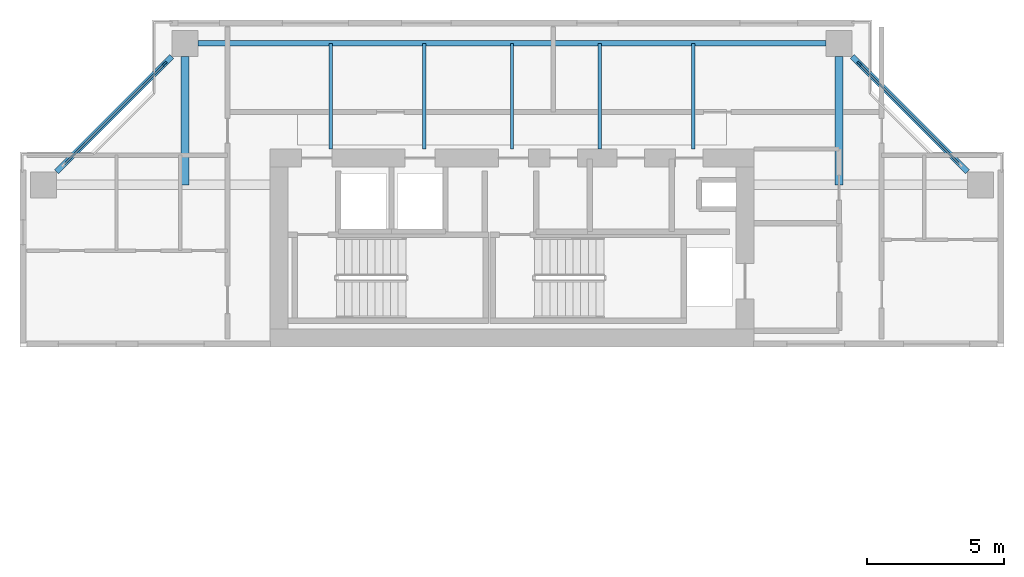
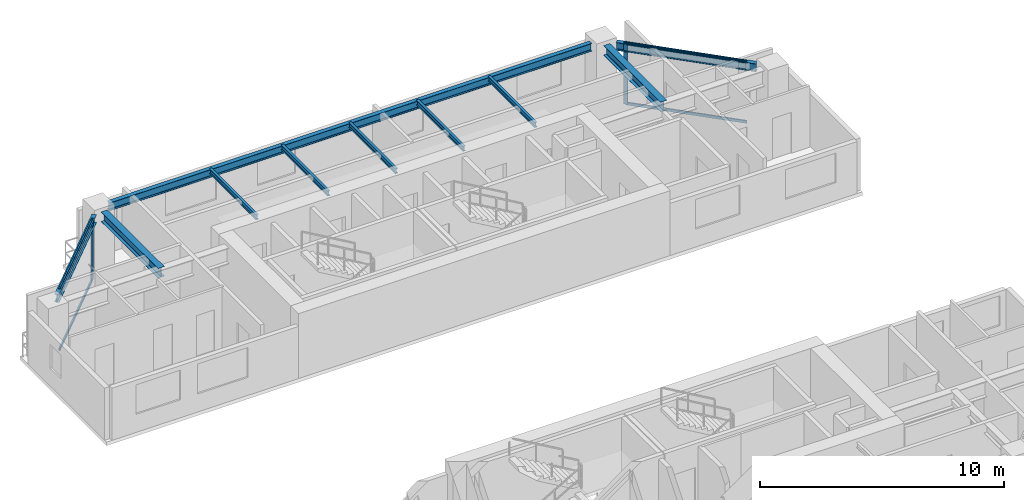
# One storey, part 5 of 12: 10 beams, 6 members, 2 elements without a shape of their own.
"""IFC4 building model written with IfcOpenShell, lengths in metres."""

from ifc_helpers import new_model, si_unit, direction, frame, origin, origin_2d, place, context, subcontext, project, spatial, rectangle, i_section, extrude, source, transform, mapped, material, layer, layer_set, material_profile, profile_set, type_object, element, aggregate, save


model = new_model("IFC4")

# Units and contexts
model_context = context("Model", 3, precision=1e-05, world=origin(), true_north=direction((0.0, 1.0)))
body_context = subcontext(model_context, "Body", "Model", "MODEL_VIEW")
ifc_project = project(units=[si_unit("LENGTHUNIT", "METRE"), si_unit("AREAUNIT", "SQUARE_METRE"), si_unit("VOLUMEUNIT", "CUBIC_METRE"), si_unit("PLANEANGLEUNIT", "RADIAN"), si_unit("MASSUNIT", "GRAM", prefix="KILO"), si_unit("THERMODYNAMICTEMPERATUREUNIT", "KELVIN"), si_unit("POWERUNIT", "WATT")], contexts=[model_context])

# Site, building, storey
site_placement = place(None, origin())
site = spatial("IfcSite", under=ifc_project, at=site_placement, CompositionType="ELEMENT")
building_placement = place(site_placement, origin())
building = spatial("IfcBuilding", under=site, at=building_placement, Name="Qiaomeng Ring Towers", CompositionType="ELEMENT")
storey_placement = place(building_placement, frame((0.0, 0.0, 156.75)))
storey = spatial("IfcBuildingStorey", under=building, at=storey_placement, Name="L45", CompositionType="ELEMENT", Elevation=156.75)

# Beams
ifc_material_1 = material(Name="Steel Q355B", Category="steel")
ifc_material_profile_1 = material_profile(ifc_material_1, i_section(OverallWidth=0.125, OverallDepth=0.25, WebThickness=0.006103515625, FlangeThickness=0.009033203125, FilletRadius=0.011962890625, at=origin_2d()), Name="HN 250x125x6x9")
ifc_profile_set_1 = profile_set([ifc_material_profile_1], Name="Steel Q355B")
beam_type_1 = type_object("IfcBeamType", Name="STR-BM-HN250", PredefinedType="JOIST", material=ifc_profile_set_1)
shared_shape_1 = source(origin(), body_context, "Body", "SweptSolid", [
    extrude(i_section(OverallWidth=0.125, OverallDepth=0.25, WebThickness=0.006103515625, FlangeThickness=0.009033203125, FilletRadius=0.011962890625, at=origin_2d()), origin(), (0.0, 0.0, 1.0), 3.85009765625),
])
for number, where, z_axis, x_axis, name in (
    (1, (12.39990234375, 36.199951171875, 2.945068359375), (0.0, 1.0, 0.0), (-1.0, 0.0, 0.0), "L45 beam STR-JST-L45-T1N-1"),
    (2, (15.800048828125, 36.199951171875, 2.945068359375), (0.0, 1.0, 0.0), (-1.0, 0.0, 0.0), "L45 beam STR-JST-L45-T1N-2"),
    (3, (19.0, 36.199951171875, 2.945068359375), (0.0, 1.0, 0.0), (-1.0, 0.0, 0.0), "L45 beam STR-JST-L45-T1N-3"),
    (4, (22.199951171875, 36.199951171875, 2.945068359375), (0.0, 1.0, 0.0), (-1.0, 0.0, 0.0), "L45 beam STR-JST-L45-T1N-4"),
    (5, (25.60009765625, 36.199951171875, 2.945068359375), (0.0, 1.0, 0.0), (-1.0, 0.0, 0.0), "L45 beam STR-JST-L45-T1N-5"),
):
    element("IfcBeam", number, at=place(storey_placement, frame(where, z_axis=z_axis, x_axis=x_axis)), inside=storey, type_object=beam_type_1, Name=name, PredefinedType="JOIST", context=body_context, shape_type="MappedRepresentation", body=[
        mapped(shared_shape_1, transform((0.0, 0.0, 0.0), x_axis=(1.0, 0.0, 0.0), y_axis=(0.0, 1.0, 0.0), z_axis=(0.0, 0.0, 1.0), scale=1.0)),
    ])
ifc_material_profile_2 = material_profile(ifc_material_1, i_section(OverallWidth=0.199951171875, OverallDepth=0.39990234375, WebThickness=0.008056640625, FlangeThickness=0.012939453125, FilletRadius=0.01611328125, at=origin_2d()), Name="HN 400x200x8x13")
ifc_profile_set_2 = profile_set([ifc_material_profile_2], Name="Steel Q355B")
beam_type_2 = type_object("IfcBeamType", Name="STR-BM-HN400", PredefinedType="SPANDREL", material=ifc_profile_set_2)
shared_shape_2 = source(origin(), body_context, "Body", "SweptSolid", [
    extrude(i_section(OverallWidth=0.199951171875, OverallDepth=0.39990234375, WebThickness=0.008056640625, FlangeThickness=0.012939453125, FilletRadius=0.01611328125, at=origin_2d()), origin(), (0.0, 0.0, 1.0), 22.85205078125),
])
beam_placement = place(storey_placement, frame((30.426025390625, 40.050048828125, 2.8701171875), z_axis=(-1.0, 0.0, 0.0), x_axis=(0.0, -1.0, 0.0)))
element("IfcBeam", 6, at=beam_placement, inside=storey, type_object=beam_type_2, Name="L45 beam STR-SP-L45-T1-N2-N1", PredefinedType="SPANDREL", context=body_context, shape_type="MappedRepresentation", body=[
    mapped(shared_shape_2, transform((0.0, 0.0, 0.0), x_axis=(1.0, 0.0, 0.0), y_axis=(0.0, 1.0, 0.0), z_axis=(0.0, 0.0, 1.0), scale=1.0)),
])
shared_shape_3 = source(origin(), body_context, "Body", "SweptSolid", [
    extrude(i_section(OverallWidth=0.199951171875, OverallDepth=0.39990234375, WebThickness=0.008056640625, FlangeThickness=0.012939453125, FilletRadius=0.01611328125, at=origin_2d()), origin(), (0.0, 0.0, 1.0), 5.941650390625),
])
for number, where, z_axis, x_axis, name in (
    (7, (35.57568359375, 35.374267578125, 2.8701171875), (-0.707106781187, 0.707106781187, 0.0), (-0.707106781187, -0.707106781187, 0.0), "L45 beam STR-SP-L45-T1-E4-N2"),
    (8, (6.625732421875, 39.57568359375, 2.8701171875), (-0.707106781187, -0.707106781187, 0.0), (0.707106781187, -0.707106781187, 0.0), "L45 beam STR-SP-L45-T1-N1-W4"),
):
    element("IfcBeam", number, at=place(storey_placement, frame(where, z_axis=z_axis, x_axis=x_axis)), inside=storey, type_object=beam_type_2, Name=name, PredefinedType="SPANDREL", context=body_context, shape_type="MappedRepresentation", body=[
        mapped(shared_shape_3, transform((0.0, 0.0, 0.0), x_axis=(1.0, 0.0, 0.0), y_axis=(0.0, 1.0, 0.0), z_axis=(0.0, 0.0, 1.0), scale=1.0)),
    ])
ifc_material_profile_3 = material_profile(ifc_material_1, i_section(OverallWidth=0.300048828125, OverallDepth=0.488037109375, WebThickness=0.010986328125, FlangeThickness=0.01806640625, FilletRadius=0.02587890625, at=origin_2d()), Name="HM 488x300x11x18")
ifc_profile_set_3 = profile_set([ifc_material_profile_3], Name="Steel Q355B")
beam_type_3 = type_object("IfcBeamType", Name="STR-BM-HM488", PredefinedType="BEAM", material=ifc_profile_set_3)
shared_shape_4 = source(origin(), body_context, "Body", "SweptSolid", [
    extrude(i_section(OverallWidth=0.300048828125, OverallDepth=0.488037109375, WebThickness=0.010986328125, FlangeThickness=0.01806640625, FilletRadius=0.02587890625, at=origin_2d()), origin(), (0.0, 0.0, 1.0), 4.676025390625),
])
for number, where, z_axis, x_axis, name in (
    (9, (7.10009765625, 39.575927734375, 2.825927734375), (0.0, -1.0, 0.0), (1.0, 0.0, 0.0), "L45 beam STR-BM-L45-T1-RAD-N1"),
    (10, (30.89990234375, 39.575927734375, 2.825927734375), (0.0, -1.0, 0.0), (1.0, 0.0, 0.0), "L45 beam STR-BM-L45-T1-RAD-N2"),
):
    element("IfcBeam", number, at=place(storey_placement, frame(where, z_axis=z_axis, x_axis=x_axis)), inside=storey, type_object=beam_type_3, Name=name, PredefinedType="BEAM", context=body_context, shape_type="MappedRepresentation", body=[
        mapped(shared_shape_4, transform((0.0, 0.0, 0.0), x_axis=(1.0, 0.0, 0.0), y_axis=(0.0, 1.0, 0.0), z_axis=(0.0, 0.0, 1.0), scale=1.0)),
    ])

# Curtain wall, member
ifc_material_2 = material(Name="Fluorocarbon dark-grey aluminium", Category="aluminium")
ifc_layer = layer(ifc_material_2, 0.14990234375, Name="Fluorocarbon dark-grey aluminium")
ifc_layer_set = layer_set([ifc_layer], Name="Fluorocarbon dark-grey aluminium")
curtain_wall_type = type_object("IfcCurtainWallType", Name="ARC-CW-3", PredefinedType="NOTDEFINED", material=ifc_layer_set)
curtain_wall_1_placement = place(storey_placement, origin())
curtain_wall_1 = element("IfcCurtainWall", 11, at=curtain_wall_1_placement, inside=storey, type_object=curtain_wall_type, Name="L45 Curtain Wall CW3", PredefinedType="NOTDEFINED")
ifc_material_profile_4 = material_profile(ifc_material_2, rectangle(XDim=0.070068359375, YDim=0.179931640625, at=origin_2d()), Name="ALU MULL 70x180")
ifc_profile_set_4 = profile_set([ifc_material_profile_4], Name="Fluorocarbon dark-grey aluminium")
member_type_1 = type_object("IfcMemberType", Name="ARC-CWM-160", PredefinedType="MULLION", material=ifc_profile_set_4)
shared_shape_5 = source(origin(), body_context, "Body", "SweptSolid", [
    extrude(rectangle(XDim=0.070068359375, YDim=0.179931640625, at=origin_2d()), origin(), (0.0, 0.0, 1.0), 3.070068359375),
])
member_1_placement = place(storey_placement, frame((31.6396484375, 39.310302734375, 0.0), z_axis=(0.0, 0.0, 1.0), x_axis=(-0.707106781187, -0.707106781187, 0.0)))
member_1 = element("IfcMember", 12, at=member_1_placement, type_object=member_type_1, Name="CW3 mullion 2", PredefinedType="MULLION", context=body_context, shape_type="MappedRepresentation", body=[
    mapped(shared_shape_5, transform((0.0, 0.0, 0.0), x_axis=(1.0, 0.0, 0.0), y_axis=(0.0, 1.0, 0.0), z_axis=(0.0, 0.0, 1.0), scale=1.0)),
])

curtain_wall_2_placement = place(storey_placement, origin())
curtain_wall_2 = element("IfcCurtainWall", 13, at=curtain_wall_2_placement, inside=storey, type_object=curtain_wall_type, Name="L45 Curtain Wall CW3", PredefinedType="NOTDEFINED")
member_2_placement = place(storey_placement, frame((6.3603515625, 39.310302734375, 0.0), z_axis=(0.0, 0.0, 1.0), x_axis=(0.707106781187, -0.707106781187, 0.0)))
member_2 = element("IfcMember", 14, at=member_2_placement, type_object=member_type_1, Name="CW3 mullion 1", PredefinedType="MULLION", context=body_context, shape_type="MappedRepresentation", body=[
    mapped(shared_shape_5, transform((0.0, 0.0, 0.0), x_axis=(1.0, 0.0, 0.0), y_axis=(0.0, 1.0, 0.0), z_axis=(0.0, 0.0, 1.0), scale=1.0)),
])

# Member
ifc_material_profile_5 = material_profile(ifc_material_2, rectangle(XDim=0.06494140625, YDim=0.1298828125, at=origin_2d()), Name="ALU TRAN 65x130")
ifc_profile_set_5 = profile_set([ifc_material_profile_5], Name="Fluorocarbon dark-grey aluminium")
member_type_2 = type_object("IfcMemberType", Name="ARC-CWT-120", PredefinedType="USERDEFINED", material=ifc_profile_set_5)
shared_shape_6 = source(origin(), body_context, "Body", "SweptSolid", [
    extrude(rectangle(XDim=0.06494140625, YDim=0.1298828125, at=origin_2d()), origin(), (0.0, 0.0, 1.0), 5.12060546875),
])
member_3_placement = place(storey_placement, frame((35.285400390625, 35.66455078125, 0.032470703125), z_axis=(-0.707106781187, 0.707106781187, 0.0), x_axis=(-0.707106781187, -0.707106781187, 0.0)))
member_3 = element("IfcMember", 15, at=member_3_placement, type_object=member_type_2, Name="CW3 transom 1.1", ObjectType="TRANSOM", PredefinedType="USERDEFINED", context=body_context, shape_type="MappedRepresentation", body=[
    mapped(shared_shape_6, transform((0.0, 0.0, 0.0), x_axis=(1.0, 0.0, 0.0), y_axis=(0.0, 1.0, 0.0), z_axis=(0.0, 0.0, 1.0), scale=1.0)),
])

member_4_placement = place(storey_placement, frame((35.285400390625, 35.66455078125, 3.03759765625), z_axis=(-0.707106781187, 0.707106781187, 0.0), x_axis=(-0.707106781187, -0.707106781187, 0.0)))
member_4 = element("IfcMember", 16, at=member_4_placement, type_object=member_type_2, Name="CW3 transom 1.2", ObjectType="TRANSOM", PredefinedType="USERDEFINED", context=body_context, shape_type="MappedRepresentation", body=[
    mapped(shared_shape_6, transform((0.0, 0.0, 0.0), x_axis=(1.0, 0.0, 0.0), y_axis=(0.0, 1.0, 0.0), z_axis=(0.0, 0.0, 1.0), scale=1.0)),
])

aggregate(curtain_wall_1, [member_1, member_3, member_4])

member_5_placement = place(storey_placement, frame((6.33544921875, 39.285400390625, 0.032470703125), z_axis=(-0.707106781187, -0.707106781187, 0.0), x_axis=(0.707106781187, -0.707106781187, 0.0)))
member_5 = element("IfcMember", 17, at=member_5_placement, type_object=member_type_2, Name="CW3 transom 1.1", ObjectType="TRANSOM", PredefinedType="USERDEFINED", context=body_context, shape_type="MappedRepresentation", body=[
    mapped(shared_shape_6, transform((0.0, 0.0, 0.0), x_axis=(1.0, 0.0, 0.0), y_axis=(0.0, 1.0, 0.0), z_axis=(0.0, 0.0, 1.0), scale=1.0)),
])

member_6_placement = place(storey_placement, frame((6.33544921875, 39.285400390625, 3.03759765625), z_axis=(-0.707106781187, -0.707106781187, 0.0), x_axis=(0.707106781187, -0.707106781187, 0.0)))
member_6 = element("IfcMember", 18, at=member_6_placement, type_object=member_type_2, Name="CW3 transom 1.2", ObjectType="TRANSOM", PredefinedType="USERDEFINED", context=body_context, shape_type="MappedRepresentation", body=[
    mapped(shared_shape_6, transform((0.0, 0.0, 0.0), x_axis=(1.0, 0.0, 0.0), y_axis=(0.0, 1.0, 0.0), z_axis=(0.0, 0.0, 1.0), scale=1.0)),
])

aggregate(curtain_wall_2, [member_2, member_5, member_6])

save(model, "model.ifc")
